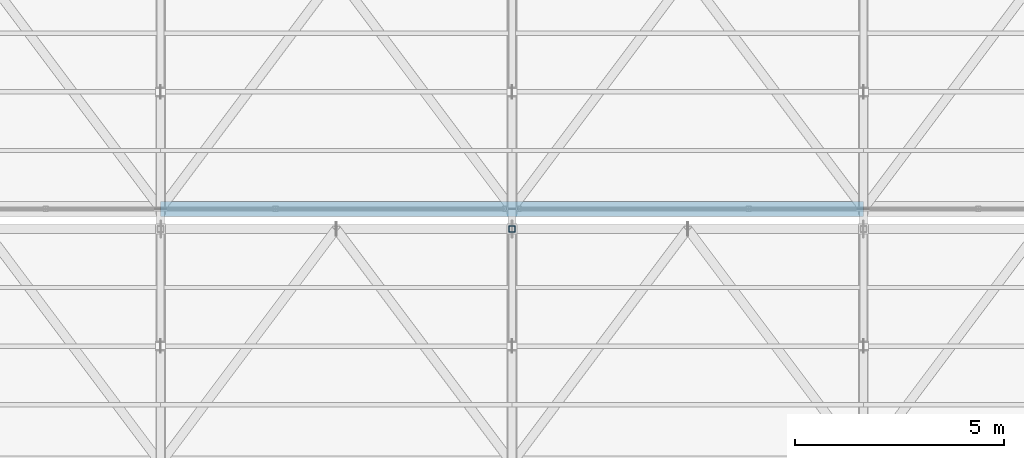
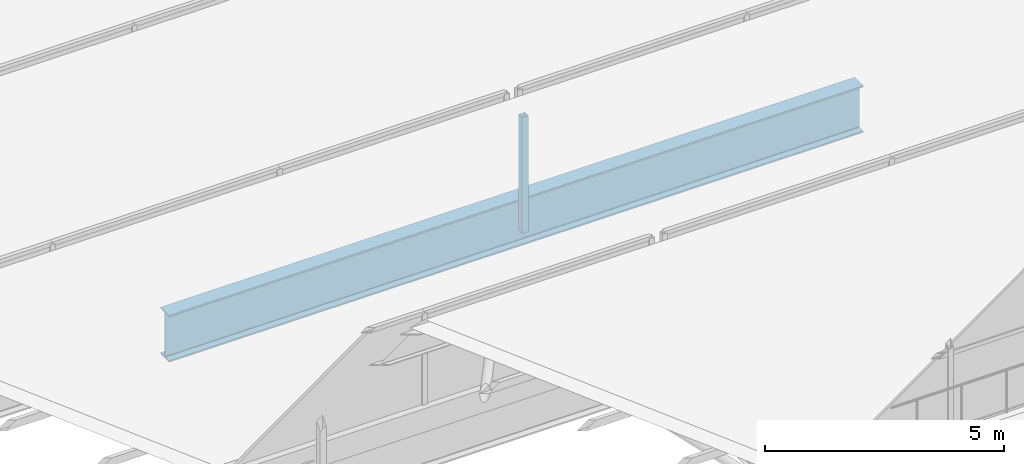
# One storey, part 79 of 217: 1 beam, 1 member.
"""IFC4 building model written with IfcOpenShell, lengths in metres."""

from ifc_helpers import new_model, si_unit, direction, frame, origin, origin_2d, place, context, subcontext, project, spatial, hollow_rectangle, i_section, extrude, material, material_profile, profile_set, type_object, element, save


model = new_model("IFC4")

# Units and contexts
model_context = context("Model", 3, precision=1e-05, world=origin(), true_north=direction((0.0, 1.0)))
body_context = subcontext(model_context, "Body", "Model", "MODEL_VIEW")
ifc_project = project(units=[si_unit("LENGTHUNIT", "METRE"), si_unit("AREAUNIT", "SQUARE_METRE"), si_unit("VOLUMEUNIT", "CUBIC_METRE"), si_unit("PLANEANGLEUNIT", "RADIAN"), si_unit("MASSUNIT", "GRAM", prefix="KILO")], contexts=[model_context])

# Site, building, storey
site_placement = place(None, origin())
site = spatial("IfcSite", under=ifc_project, at=site_placement, CompositionType="ELEMENT")
building_placement = place(site_placement, origin())
building = spatial("IfcBuilding", under=site, at=building_placement, Name="Zuvorla Pavilion Media Centre", CompositionType="ELEMENT")
storey_placement = place(building_placement, frame((0.0, 0.0, 9.60009765625)))
storey = spatial("IfcBuildingStorey", under=building, at=storey_placement, Name="L02", CompositionType="ELEMENT", Elevation=9.60009765625)

# Beam
ifc_material = material(Name="Steel S355", Category="steel")
ifc_material_profile_1 = material_profile(ifc_material, i_section(OverallWidth=0.360107421875, OverallDepth=1.199951171875, WebThickness=0.02001953125, FlangeThickness=0.0380859375, FilletRadius=0.02392578125, at=origin_2d()), Name="PG 1200x360x38")
ifc_profile_set_1 = profile_set([ifc_material_profile_1], Name="Steel S355")
beam_type = type_object("IfcBeamType", Name="BM-PG1200", PredefinedType="BEAM", material=ifc_profile_set_1)
beam_placement = place(storey_placement, frame((75.199951171875, 101.760009765625, -0.88818359375), z_axis=(1.0, 0.0, 0.0), x_axis=(0.0, 1.0, 0.0)))
element("IfcBeam", 1, at=beam_placement, inside=storey, type_object=beam_type, Name="L02 beam B01 1791", PredefinedType="BEAM", context=body_context, shape_type="SweptSolid", body=[
    extrude(i_section(OverallWidth=0.360107421875, OverallDepth=1.199951171875, WebThickness=0.02001953125, FlangeThickness=0.0380859375, FilletRadius=0.02392578125, at=origin_2d()), origin(), (0.0, 0.0, 1.0), 16.800048828125),
])

# Member
ifc_material_profile_2 = material_profile(ifc_material, hollow_rectangle(XDim=0.14990234375, YDim=0.14990234375, WallThickness=0.008056640625, at=origin_2d()), Name="SHS 150x150x8")
ifc_profile_set_2 = profile_set([ifc_material_profile_2], Name="Steel S355")
member_type = type_object("IfcMemberType", Name="MEM-STR-SHS150", PredefinedType="STRUT", material=ifc_profile_set_2)
member_placement = place(storey_placement, frame((83.60009765625, 101.280029296875, -0.880126953125), z_axis=(0.0, 0.0, 1.0), x_axis=(1.0, 0.0, 0.0)))
element("IfcMember", 2, at=member_placement, inside=storey, type_object=member_type, Name="L02 vertical strut TS01 138", PredefinedType="STRUT", context=body_context, shape_type="SweptSolid", body=[
    extrude(hollow_rectangle(XDim=0.14990234375, YDim=0.14990234375, WallThickness=0.008056640625, at=origin_2d()), origin(), (0.0, 0.0, 1.0), 2.963623046875),
])

save(model, "model.ifc")
